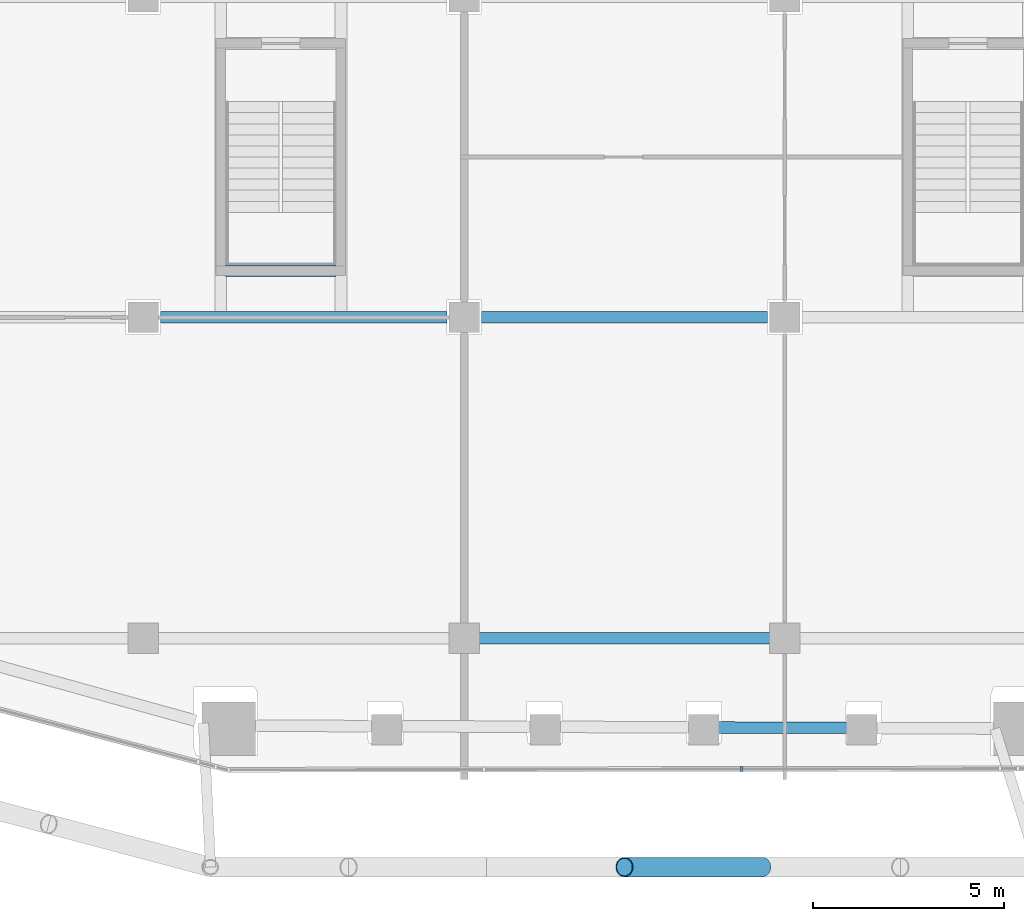
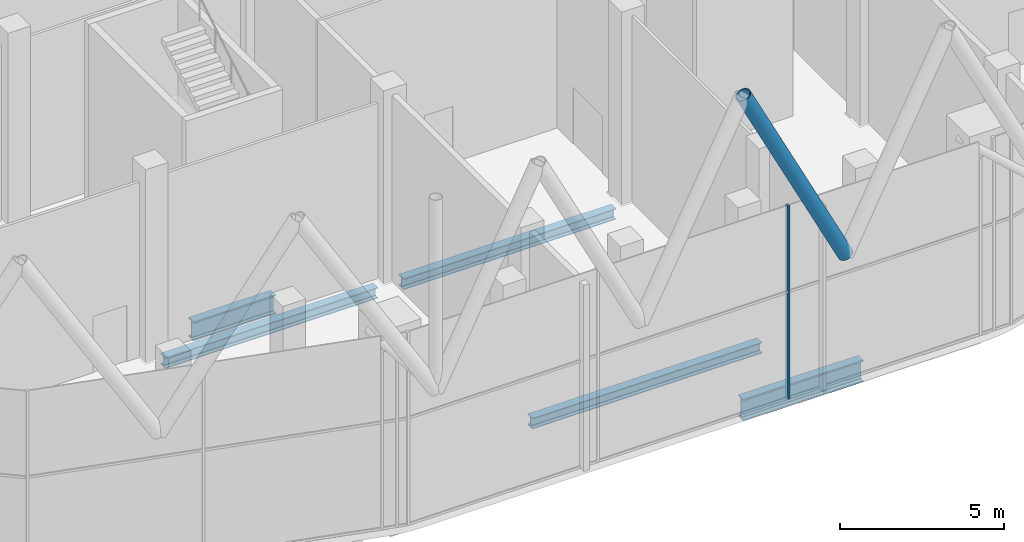
# One storey, part 3 of 25: 5 beams, 2 members, 1 element without a shape of its own.
"""IFC4 building model written with IfcOpenShell, lengths in metres."""

from ifc_helpers import new_model, si_unit, direction, frame, origin, origin_2d, place, context, subcontext, project, spatial, rectangle, hollow_circle, i_section, extrude, material, layer, layer_set, material_profile, profile_set, type_object, element, aggregate, save


model = new_model("IFC4")

# Units and contexts
model_context = context("Model", 3, precision=1e-05, world=origin(), true_north=direction((0.0, 1.0)))
body_context = subcontext(model_context, "Body", "Model", "MODEL_VIEW")
ifc_project = project(units=[si_unit("LENGTHUNIT", "METRE"), si_unit("AREAUNIT", "SQUARE_METRE"), si_unit("VOLUMEUNIT", "CUBIC_METRE"), si_unit("PLANEANGLEUNIT", "RADIAN"), si_unit("MASSUNIT", "GRAM", prefix="KILO")], contexts=[model_context])

# Site, building, storey
site_placement = place(None, origin())
site = spatial("IfcSite", under=ifc_project, at=site_placement, CompositionType="ELEMENT")
building_placement = place(site_placement, origin())
building = spatial("IfcBuilding", under=site, at=building_placement, Name="Marenta Gate Hotel Tower", CompositionType="ELEMENT")
storey_placement = place(building_placement, frame((0.0, 0.0, 180.5)))
storey = spatial("IfcBuildingStorey", under=building, at=storey_placement, Name="L41", CompositionType="ELEMENT", Elevation=180.5)

# Member
ifc_material_1 = material(Name="Steel S355J2W", Category="steel")
ifc_material_profile_1 = material_profile(ifc_material_1, hollow_circle(Radius=0.25390625, WallThickness=0.02490234375, at=origin_2d()), Name="CHS 508x25")
ifc_profile_set_1 = profile_set([ifc_material_profile_1], Name="Steel S355J2W")
member_type_1 = type_object("IfcMemberType", Name="Diagrid diagonal Z3 CHS 508x25", PredefinedType="BRACE", material=ifc_profile_set_1)
member_1_placement = place(storey_placement, frame((3.613037109375, -31.199951171875, 6.739990234375), z_axis=(-0.44851025603, 0.0, 0.893777685018), x_axis=(0.0, -1.0, 0.0)))
element("IfcMember", 1, at=member_1_placement, inside=storey, type_object=member_type_1, Name="L41-DG-17", PredefinedType="BRACE", context=body_context, shape_type="SweptSolid", body=[
    extrude(hollow_circle(Radius=0.25390625, WallThickness=0.02490234375, at=origin_2d()), origin(), (0.0, 0.0, 1.0), 8.0556640625),
])

# Beams
ifc_material_2 = material(Name="Steel S355", Category="steel")
ifc_material_profile_2 = material_profile(ifc_material_2, i_section(OverallWidth=0.302978515625, OverallDepth=0.81396484375, WebThickness=0.030029296875, FlangeThickness=0.052001953125, FilletRadius=0.030029296875, at=origin_2d()), Name="HEM 800")
ifc_profile_set_2 = profile_set([ifc_material_profile_2], Name="Steel S355")
beam_type_1 = type_object("IfcBeamType", Name="Edge beam HEM 800", PredefinedType="SPANDREL", material=ifc_profile_set_2)
beam_1_placement = place(storey_placement, frame((6.26025390625, -27.556884765625, -0.6669921875), z_axis=(-0.999992511062, 0.003870118891, 0.0), x_axis=(-0.003870118891, -0.999992511062, 0.0)))
element("IfcBeam", 2, at=beam_1_placement, inside=storey, type_object=beam_type_1, Name="L41-EB-31", PredefinedType="SPANDREL", context=body_context, shape_type="SweptSolid", body=[
    extrude(i_section(OverallWidth=0.302978515625, OverallDepth=0.81396484375, WebThickness=0.030029296875, FlangeThickness=0.052001953125, FilletRadius=0.030029296875, at=origin_2d()), origin(), (0.0, 0.0, 1.0), 4.2265625),
])
ifc_material_3 = material(Name="Steel S355", Category="steel")
ifc_material_profile_3 = material_profile(ifc_material_3, i_section(OverallWidth=0.300048828125, OverallDepth=0.39990234375, WebThickness=0.013427734375, FlangeThickness=0.02392578125, FilletRadius=0.027099609375, at=origin_2d()), Name="HEB 400")
ifc_profile_set_3 = profile_set([ifc_material_profile_3], Name="Steel S355")
beam_type_2 = type_object("IfcBeamType", Name="Girder HEB 400", PredefinedType="BEAM", material=ifc_profile_set_3)
beam_2_placement = place(storey_placement, frame((-4.048583984375, -25.199951171875, -0.4599609375), z_axis=(1.0, 0.0, 0.0), x_axis=(0.0, 1.0, 0.0)))
element("IfcBeam", 3, at=beam_2_placement, inside=storey, type_object=beam_type_2, Name="L41-GD-4", PredefinedType="BEAM", context=body_context, shape_type="SweptSolid", body=[
    extrude(i_section(OverallWidth=0.300048828125, OverallDepth=0.39990234375, WebThickness=0.013427734375, FlangeThickness=0.02392578125, FilletRadius=0.027099609375, at=origin_2d()), origin(), (0.0, 0.0, 1.0), 8.09716796875),
])
for number, where, z_axis, x_axis, name in (
    (4, (-12.14990234375, -16.800048828125, -0.4599609375), (1.0, 0.0, 0.0), (0.0, 1.0, 0.0), "L41-GD-10"),
    (5, (-3.75, -16.800048828125, -0.4599609375), (1.0, 0.0, 0.0), (0.0, 1.0, 0.0), "L41-GD-11"),
):
    element("IfcBeam", number, at=place(storey_placement, frame(where, z_axis=z_axis, x_axis=x_axis)), inside=storey, type_object=beam_type_2, Name=name, PredefinedType="BEAM", context=body_context, shape_type="SweptSolid", body=[
        extrude(i_section(OverallWidth=0.300048828125, OverallDepth=0.39990234375, WebThickness=0.013427734375, FlangeThickness=0.02392578125, FilletRadius=0.027099609375, at=origin_2d()), origin(), (0.0, 0.0, 1.0), 7.5),
    ])

# Curtain wall, member
ifc_material_4 = material(Name="Tinted insulated glass in bronze anodised frame", Category="glass")
ifc_layer = layer(ifc_material_4, 0.1298828125)
ifc_layer_set = layer_set([ifc_layer], Name="Tinted insulated glass in bronze anodised frame")
curtain_wall_type = type_object("IfcCurtainWallType", Name="Sky lobby glazing CW2", PredefinedType="NOTDEFINED", material=ifc_layer_set)
curtain_wall_placement = place(storey_placement, origin())
curtain_wall = element("IfcCurtainWall", 6, at=curtain_wall_placement, inside=storey, type_object=curtain_wall_type, Name="CW2 run G12", PredefinedType="NOTDEFINED")
ifc_material_5 = material(Name="Bronze anodised aluminium", Category="aluminium")
ifc_material_profile_4 = material_profile(ifc_material_5, rectangle(XDim=0.1298828125, YDim=0.080078125, at=origin_2d()), Name="Mullion CW2 80x130 bronze anodised aluminium")
ifc_profile_set_4 = profile_set([ifc_material_profile_4], Name="Bronze anodised aluminium")
member_type_2 = type_object("IfcMemberType", Name="Mullion CW2 80x130 bronze anodised aluminium", PredefinedType="MULLION", material=ifc_profile_set_4)
member_2_placement = place(storey_placement, frame((3.06201171875, -28.63037109375, 0.0), z_axis=(0.0, 0.0, 1.0), x_axis=(-0.001643318084, 0.999998649752, 0.0)))
member_2 = element("IfcMember", 7, at=member_2_placement, type_object=member_type_2, Name="CW2 mullion 3", PredefinedType="MULLION", context=body_context, shape_type="SweptSolid", body=[
    extrude(rectangle(XDim=0.1298828125, YDim=0.080078125, at=origin_2d()), origin(), (0.0, 0.0, 1.0), 7.199951171875),
])
aggregate(curtain_wall, [member_2])

# Beam
ifc_material_6 = material(Name="Steel S355", Category="steel")
ifc_material_profile_5 = material_profile(ifc_material_6, i_section(OverallWidth=0.303955078125, OverallDepth=0.716064453125, WebThickness=0.027099609375, FlangeThickness=0.048095703125, FilletRadius=0.027099609375, at=origin_2d()), Name="HEM 700")
ifc_profile_set_5 = profile_set([ifc_material_profile_5], Name="Steel S355")
beam_type_3 = type_object("IfcBeamType", Name="Stair wall transfer beam HEM 700", PredefinedType="BEAM", material=ifc_profile_set_5)
beam_3_placement = place(storey_placement, frame((-10.449951171875, -15.574951171875, -0.617919921875), z_axis=(1.0, 0.0, 0.0), x_axis=(0.0, 1.0, 0.0)))
element("IfcBeam", 8, at=beam_3_placement, inside=storey, type_object=beam_type_3, Name="L41-XB-RS-Z3-1-c", PredefinedType="BEAM", context=body_context, shape_type="SweptSolid", body=[
    extrude(i_section(OverallWidth=0.303955078125, OverallDepth=0.716064453125, WebThickness=0.027099609375, FlangeThickness=0.048095703125, FilletRadius=0.027099609375, at=origin_2d()), origin(), (0.0, 0.0, 1.0), 2.89990234375),
])

save(model, "model.ifc")
